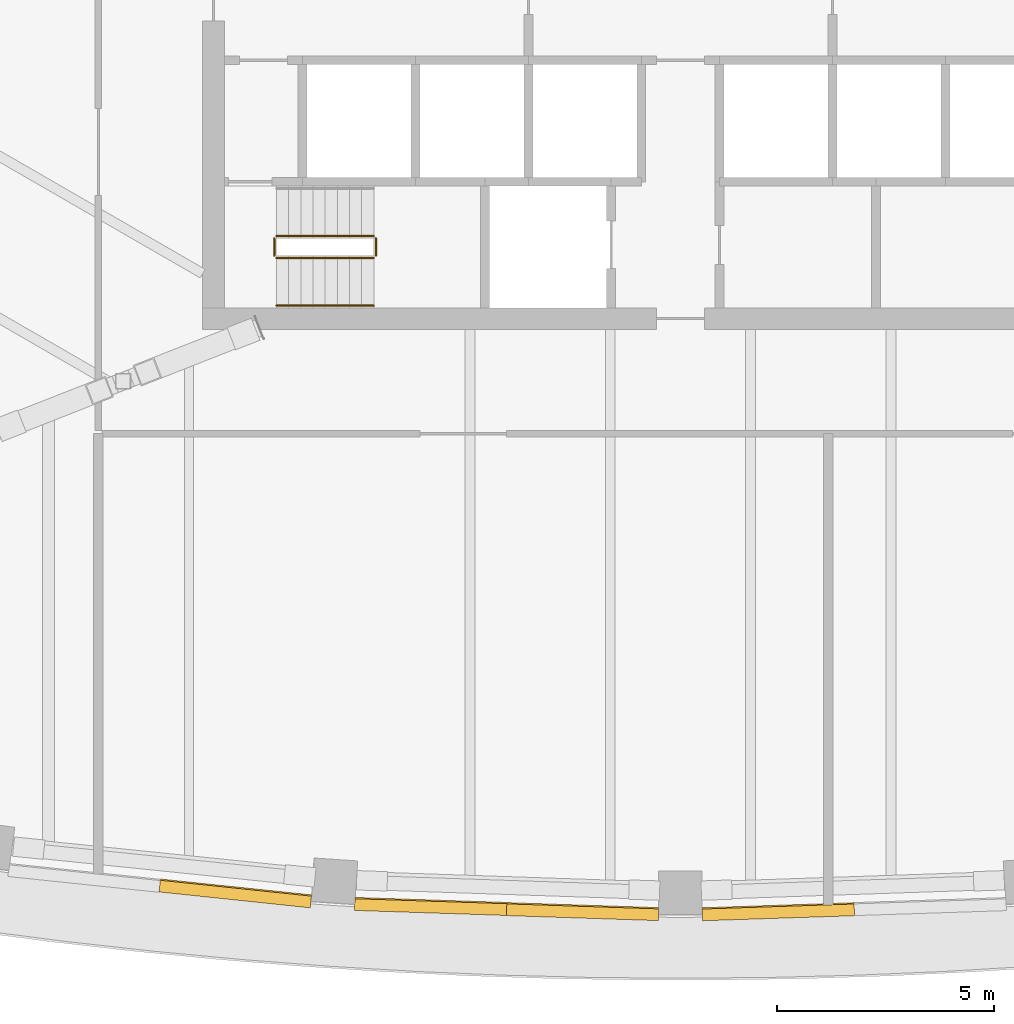
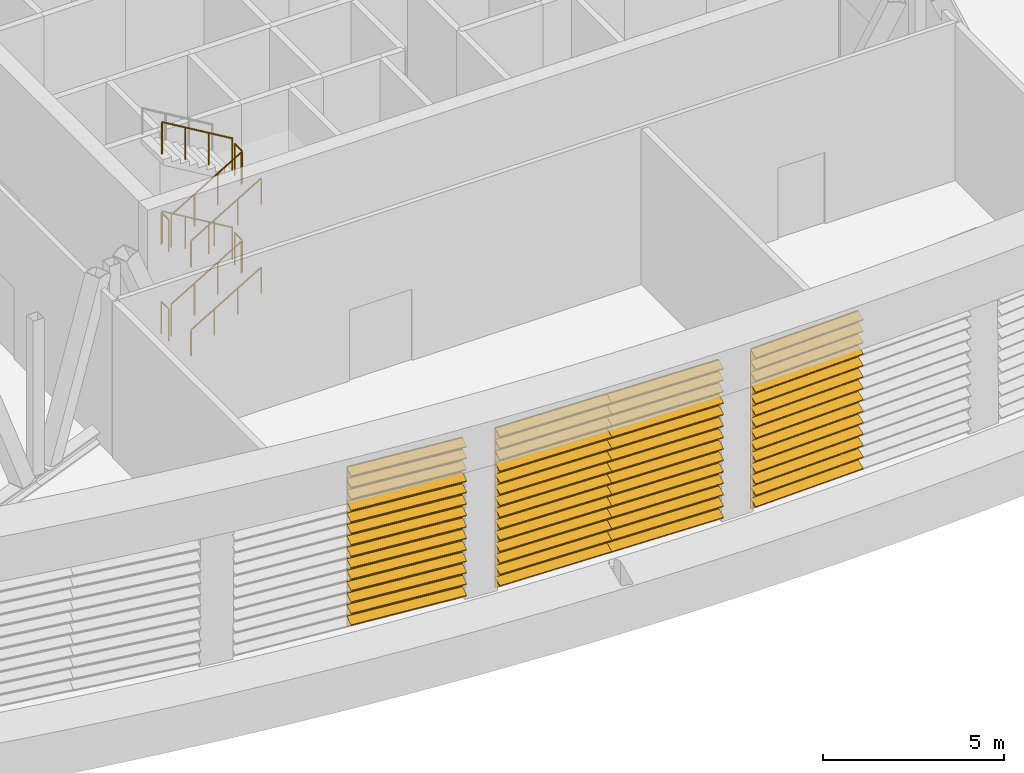
# One storey, part 12 of 18: 10 railings, 4 shading devices.
"""IFC4 building model written with IfcOpenShell, lengths in metres."""

from ifc_helpers import new_model, si_unit, direction, frame, origin, origin_2d, place, context, subcontext, project, spatial, polyline, circle, outline, extrude, material, type_object, element, save


model = new_model("IFC4")

# Units and contexts
model_context = context("Model", 3, precision=1e-05, world=origin(), true_north=direction((0.0, 1.0)))
body_context = subcontext(model_context, "Body", "Model", "MODEL_VIEW")
ifc_project = project(units=[si_unit("LENGTHUNIT", "METRE"), si_unit("AREAUNIT", "SQUARE_METRE"), si_unit("VOLUMEUNIT", "CUBIC_METRE"), si_unit("PLANEANGLEUNIT", "RADIAN"), si_unit("MASSUNIT", "GRAM", prefix="KILO")], contexts=[model_context])

# Site, building, storey
site_placement = place(None, origin())
site = spatial("IfcSite", under=ifc_project, at=site_placement, CompositionType="ELEMENT")
building_placement = place(site_placement, origin())
building = spatial("IfcBuilding", under=site, at=building_placement, Name="Sierra Prisma Convention Tower", CompositionType="ELEMENT")
storey_placement = place(building_placement, frame((0.0, 0.0, 213.800048828125)))
storey = spatial("IfcBuildingStorey", under=building, at=storey_placement, Name="L48", CompositionType="ELEMENT", Elevation=213.800048828125)

# Railings
ifc_material_1 = material(Name="Stainless steel", Category="steel")
railing_type_1 = type_object("IfcRailingType", Name="Exit stair handrail", PredefinedType="HANDRAIL", material=ifc_material_1)
for number, where, name in (
    (1, (-9.300048828125, -7.449951171875, 0.16650390625), "L48 S1 stair handrail 1"),
    (2, (-9.300048828125, -7.449951171875, 3.16650390625), "L48 S1 stair handrail 3"),
):
    element("IfcRailing", number, at=place(storey_placement, frame(where)), inside=storey, type_object=railing_type_1, Name=name, PredefinedType="HANDRAIL", context=body_context, shape_type="SweptSolid", body=[
        extrude(circle(Radius=0.02392578125, at=origin_2d()), frame((0.0, 0.0, 0.8759765625), z_axis=(0.859264461869, 0.0, 0.511531606619), x_axis=(0.0, 1.0, 0.0)), (0.0, 0.0, 1.0), 2.60693359375),
        extrude(circle(Radius=0.02099609375, at=origin_2d()), origin(), (0.0, 0.0, 1.0), 0.851806640625),
        extrude(circle(Radius=0.02099609375, at=origin_2d()), frame((0.74658203125, 0.0, 0.444580078125)), (0.0, 0.0, 1.0), 0.851806640625),
        extrude(circle(Radius=0.02099609375, at=origin_2d()), frame((1.493408203125, 0.0, 0.888916015625)), (0.0, 0.0, 1.0), 0.851806640625),
        extrude(circle(Radius=0.02099609375, at=origin_2d()), frame((2.239990234375, 0.0, 1.33349609375)), (0.0, 0.0, 1.0), 0.851806640625),
    ])

# Shading devices
ifc_material_2 = material(Name="Aluminium 6063-T6 bronze anodised", Category="aluminium")
shading_device_type = type_object("IfcShadingDeviceType", Name="Louvre bay bronze", PredefinedType="USERDEFINED", material=ifc_material_2)
shading_device_1_placement = place(storey_placement, frame((-11.9716796875, -20.65087890625, 0.0), z_axis=(-0.99453895039, 0.104366068037, 0.0), x_axis=(0.0, 0.0, 1.0)))
element("IfcShadingDevice", 3, at=shading_device_1_placement, inside=storey, type_object=shading_device_type, Name="Louvre L48 S2.2", ObjectType="LOUVRE", PredefinedType="USERDEFINED", context=body_context, shape_type="SweptSolid", body=[
    extrude(outline(polyline([(0.0, 0.0), (5.39990234375, 0.0), (5.39990234375, -0.02995373799610345), (5.3798828125, -0.02995373799610345), (5.260009765625, -0.30016388205552225), (5.22998046875, -0.30016388205552225), (5.349853515625, -0.02995373799610345), (5.01416015625, -0.02995373799610345), (4.994140625, -0.02995373799610345), (4.874267578125, -0.30016388205552225), (4.84423828125, -0.30016388205552225), (4.96435546875, -0.02995373799610345), (4.62841796875, -0.02995373799610345), (4.608642578125, -0.02995373799610345), (4.488525390625, -0.30016388205552225), (4.45849609375, -0.30016388205552225), (4.57861328125, -0.02995373799610345), (4.242919921875, -0.02995373799610345), (4.222900390625, -0.02995373799610345), (4.102783203125, -0.30016388205552225), (4.07275390625, -0.30016388205552225), (4.19287109375, -0.02995373799610345), (3.857177734375, -0.02995373799610345), (3.837158203125, -0.02995373799610345), (3.717041015625, -0.30016388205552225), (3.68701171875, -0.30016388205552225), (3.80712890625, -0.02995373799610345), (3.471435546875, -0.02995373799610345), (3.451416015625, -0.02995373799610345), (3.331298828125, -0.30016388205552225), (3.30126953125, -0.30016388205552225), (3.42138671875, -0.02995373799610345), (3.085693359375, -0.02995373799610345), (3.065673828125, -0.02995373799610345), (2.945556640625, -0.30016388205552225), (2.915771484375, -0.30016388205552225), (3.03564453125, -0.02995373799610345), (2.699951171875, -0.02995373799610345), (2.679931640625, -0.02995373799610345), (2.56005859375, -0.30016388205552225), (2.530029296875, -0.30016388205552225), (2.64990234375, -0.02995373799610345), (2.314208984375, -0.02995373799610345), (2.294189453125, -0.02995373799610345), (2.17431640625, -0.30016388205552225), (2.144287109375, -0.30016388205552225), (2.26416015625, -0.02995373799610345), (1.928466796875, -0.02995373799610345), (1.908447265625, -0.02995373799610345), (1.78857421875, -0.30016388205552225), (1.758544921875, -0.30016388205552225), (1.87841796875, -0.02995373799610345), (1.542724609375, -0.02995373799610345), (1.522705078125, -0.02995373799610345), (1.40283203125, -0.30016388205552225), (1.372802734375, -0.30016388205552225), (1.492919921875, -0.02995373799610345), (1.156982421875, -0.02995373799610345), (1.13720703125, -0.02995373799610345), (1.01708984375, -0.30016388205552225), (0.987060546875, -0.30016388205552225), (1.107177734375, -0.02995373799610345), (0.771484375, -0.02995373799610345), (0.75146484375, -0.02995373799610345), (0.63134765625, -0.30016388205552225), (0.601318359375, -0.30016388205552225), (0.721435546875, -0.02995373799610345), (0.3857421875, -0.02995373799610345), (0.36572265625, -0.02995373799610345), (0.24560546875, -0.30016388205552225), (0.215576171875, -0.30016388205552225), (0.335693359375, -0.02995373799610345), (0.0, -0.02995373799610345), (0.0, 0.0)])), origin(), (0.0, 0.0, -1.0), 3.4990234375),
])
shading_device_2_placement = place(storey_placement, frame((-7.493896484375, -21.0751953125, 0.0), z_axis=(-0.999458681794, 0.032898987625, 0.0), x_axis=(0.0, 0.0, 1.0)))
element("IfcShadingDevice", 4, at=shading_device_2_placement, inside=storey, type_object=shading_device_type, Name="Louvre L48 S3.1", ObjectType="LOUVRE", PredefinedType="USERDEFINED", context=body_context, shape_type="SweptSolid", body=[
    extrude(outline(polyline([(0.0, 0.0), (5.39990234375, 0.0), (5.39990234375, -0.03004516938748847), (5.3798828125, -0.03004516938748847), (5.260009765625, -0.2999717089198156), (5.22998046875, -0.2999717089198156), (5.349853515625, -0.03004516938748847), (5.01416015625, -0.03004516938748847), (4.994140625, -0.03004516938748847), (4.874267578125, -0.2999717089198156), (4.84423828125, -0.2999717089198156), (4.96435546875, -0.03004516938748847), (4.62841796875, -0.03004516938748847), (4.608642578125, -0.03004516938748847), (4.488525390625, -0.2999717089198156), (4.45849609375, -0.2999717089198156), (4.57861328125, -0.03004516938748847), (4.242919921875, -0.03004516938748847), (4.222900390625, -0.03004516938748847), (4.102783203125, -0.2999717089198156), (4.07275390625, -0.2999717089198156), (4.19287109375, -0.03004516938748847), (3.857177734375, -0.03004516938748847), (3.837158203125, -0.03004516938748847), (3.717041015625, -0.2999717089198156), (3.68701171875, -0.2999717089198156), (3.80712890625, -0.03004516938748847), (3.471435546875, -0.03004516938748847), (3.451416015625, -0.03004516938748847), (3.331298828125, -0.2999717089198156), (3.30126953125, -0.2999717089198156), (3.42138671875, -0.03004516938748847), (3.085693359375, -0.03004516938748847), (3.065673828125, -0.03004516938748847), (2.945556640625, -0.2999717089198156), (2.915771484375, -0.2999717089198156), (3.03564453125, -0.03004516938748847), (2.699951171875, -0.03004516938748847), (2.679931640625, -0.03004516938748847), (2.56005859375, -0.2999717089198156), (2.530029296875, -0.2999717089198156), (2.64990234375, -0.03004516938748847), (2.314208984375, -0.03004516938748847), (2.294189453125, -0.03004516938748847), (2.17431640625, -0.2999717089198156), (2.144287109375, -0.2999717089198156), (2.26416015625, -0.03004516938748847), (1.928466796875, -0.03004516938748847), (1.908447265625, -0.03004516938748847), (1.78857421875, -0.2999717089198156), (1.758544921875, -0.2999717089198156), (1.87841796875, -0.03004516938748847), (1.542724609375, -0.03004516938748847), (1.522705078125, -0.03004516938748847), (1.40283203125, -0.2999717089198156), (1.372802734375, -0.2999717089198156), (1.492919921875, -0.03004516938748847), (1.156982421875, -0.03004516938748847), (1.13720703125, -0.03004516938748847), (1.01708984375, -0.2999717089198156), (0.987060546875, -0.2999717089198156), (1.107177734375, -0.03004516938748847), (0.771484375, -0.03004516938748847), (0.75146484375, -0.03004516938748847), (0.63134765625, -0.2999717089198156), (0.601318359375, -0.2999717089198156), (0.721435546875, -0.03004516938748847), (0.3857421875, -0.03004516938748847), (0.36572265625, -0.03004516938748847), (0.24560546875, -0.2999717089198156), (0.215576171875, -0.2999717089198156), (0.335693359375, -0.03004516938748847), (0.0, -0.03004516938748847), (0.0, 0.0)])), origin(), (0.0, 0.0, -1.0), 3.4990234375),
])
shading_device_3_placement = place(storey_placement, frame((-3.996826171875, -21.194091796875, 0.0), z_axis=(-0.999458681794, 0.032898987625, 0.0), x_axis=(0.0, 0.0, 1.0)))
element("IfcShadingDevice", 5, at=shading_device_3_placement, inside=storey, type_object=shading_device_type, Name="Louvre L48 S3.2", ObjectType="LOUVRE", PredefinedType="USERDEFINED", context=body_context, shape_type="SweptSolid", body=[
    extrude(outline(polyline([(0.0, 0.0), (5.39990234375, 0.0), (5.39990234375, -0.03004516938748847), (5.3798828125, -0.03004516938748847), (5.260009765625, -0.2999717089198156), (5.22998046875, -0.2999717089198156), (5.349853515625, -0.03004516938748847), (5.01416015625, -0.03004516938748847), (4.994140625, -0.03004516938748847), (4.874267578125, -0.2999717089198156), (4.84423828125, -0.2999717089198156), (4.96435546875, -0.03004516938748847), (4.62841796875, -0.03004516938748847), (4.608642578125, -0.03004516938748847), (4.488525390625, -0.2999717089198156), (4.45849609375, -0.2999717089198156), (4.57861328125, -0.03004516938748847), (4.242919921875, -0.03004516938748847), (4.222900390625, -0.03004516938748847), (4.102783203125, -0.2999717089198156), (4.07275390625, -0.2999717089198156), (4.19287109375, -0.03004516938748847), (3.857177734375, -0.03004516938748847), (3.837158203125, -0.03004516938748847), (3.717041015625, -0.2999717089198156), (3.68701171875, -0.2999717089198156), (3.80712890625, -0.03004516938748847), (3.471435546875, -0.03004516938748847), (3.451416015625, -0.03004516938748847), (3.331298828125, -0.2999717089198156), (3.30126953125, -0.2999717089198156), (3.42138671875, -0.03004516938748847), (3.085693359375, -0.03004516938748847), (3.065673828125, -0.03004516938748847), (2.945556640625, -0.2999717089198156), (2.915771484375, -0.2999717089198156), (3.03564453125, -0.03004516938748847), (2.699951171875, -0.03004516938748847), (2.679931640625, -0.03004516938748847), (2.56005859375, -0.2999717089198156), (2.530029296875, -0.2999717089198156), (2.64990234375, -0.03004516938748847), (2.314208984375, -0.03004516938748847), (2.294189453125, -0.03004516938748847), (2.17431640625, -0.2999717089198156), (2.144287109375, -0.2999717089198156), (2.26416015625, -0.03004516938748847), (1.928466796875, -0.03004516938748847), (1.908447265625, -0.03004516938748847), (1.78857421875, -0.2999717089198156), (1.758544921875, -0.2999717089198156), (1.87841796875, -0.03004516938748847), (1.542724609375, -0.03004516938748847), (1.522705078125, -0.03004516938748847), (1.40283203125, -0.2999717089198156), (1.372802734375, -0.2999717089198156), (1.492919921875, -0.03004516938748847), (1.156982421875, -0.03004516938748847), (1.13720703125, -0.03004516938748847), (1.01708984375, -0.2999717089198156), (0.987060546875, -0.2999717089198156), (1.107177734375, -0.03004516938748847), (0.771484375, -0.03004516938748847), (0.75146484375, -0.03004516938748847), (0.63134765625, -0.2999717089198156), (0.601318359375, -0.2999717089198156), (0.721435546875, -0.03004516938748847), (0.3857421875, -0.03004516938748847), (0.36572265625, -0.03004516938748847), (0.24560546875, -0.2999717089198156), (0.215576171875, -0.2999717089198156), (0.335693359375, -0.03004516938748847), (0.0, -0.03004516938748847), (0.0, 0.0)])), origin(), (0.0, 0.0, -1.0), 3.4990234375),
])
shading_device_4_placement = place(storey_placement, frame((0.499755859375, -21.31298828125, 0.0), z_axis=(-0.999446378847, -0.033270644871, 0.0), x_axis=(0.0, 0.0, 1.0)))
element("IfcShadingDevice", 6, at=shading_device_4_placement, inside=storey, type_object=shading_device_type, Name="Louvre L48 S4.1", ObjectType="LOUVRE", PredefinedType="USERDEFINED", context=body_context, shape_type="SweptSolid", body=[
    extrude(outline(polyline([(0.0, 0.0), (5.39990234375, 0.0), (5.39990234375, -0.030045162885164418), (5.3798828125, -0.030045162885164418), (5.260009765625, -0.29997986335653865), (5.22998046875, -0.29997986335653865), (5.349853515625, -0.030045162885164418), (5.01416015625, -0.030045162885164418), (4.994140625, -0.030045162885164418), (4.874267578125, -0.29997986335653865), (4.84423828125, -0.29997986335653865), (4.96435546875, -0.030045162885164418), (4.62841796875, -0.030045162885164418), (4.608642578125, -0.030045162885164418), (4.488525390625, -0.29997986335653865), (4.45849609375, -0.29997986335653865), (4.57861328125, -0.030045162885164418), (4.242919921875, -0.030045162885164418), (4.222900390625, -0.030045162885164418), (4.102783203125, -0.29997986335653865), (4.07275390625, -0.29997986335653865), (4.19287109375, -0.030045162885164418), (3.857177734375, -0.030045162885164418), (3.837158203125, -0.030045162885164418), (3.717041015625, -0.29997986335653865), (3.68701171875, -0.29997986335653865), (3.80712890625, -0.030045162885164418), (3.471435546875, -0.030045162885164418), (3.451416015625, -0.030045162885164418), (3.331298828125, -0.29997986335653865), (3.30126953125, -0.29997986335653865), (3.42138671875, -0.030045162885164418), (3.085693359375, -0.030045162885164418), (3.065673828125, -0.030045162885164418), (2.945556640625, -0.29997986335653865), (2.915771484375, -0.29997986335653865), (3.03564453125, -0.030045162885164418), (2.699951171875, -0.030045162885164418), (2.679931640625, -0.030045162885164418), (2.56005859375, -0.29997986335653865), (2.530029296875, -0.29997986335653865), (2.64990234375, -0.030045162885164418), (2.314208984375, -0.030045162885164418), (2.294189453125, -0.030045162885164418), (2.17431640625, -0.29997986335653865), (2.144287109375, -0.29997986335653865), (2.26416015625, -0.030045162885164418), (1.928466796875, -0.030045162885164418), (1.908447265625, -0.030045162885164418), (1.78857421875, -0.29997986335653865), (1.758544921875, -0.29997986335653865), (1.87841796875, -0.030045162885164418), (1.542724609375, -0.030045162885164418), (1.522705078125, -0.030045162885164418), (1.40283203125, -0.29997986335653865), (1.372802734375, -0.29997986335653865), (1.492919921875, -0.030045162885164418), (1.156982421875, -0.030045162885164418), (1.13720703125, -0.030045162885164418), (1.01708984375, -0.29997986335653865), (0.987060546875, -0.29997986335653865), (1.107177734375, -0.030045162885164418), (0.771484375, -0.030045162885164418), (0.75146484375, -0.030045162885164418), (0.63134765625, -0.29997986335653865), (0.601318359375, -0.29997986335653865), (0.721435546875, -0.030045162885164418), (0.3857421875, -0.030045162885164418), (0.36572265625, -0.030045162885164418), (0.24560546875, -0.29997986335653865), (0.215576171875, -0.29997986335653865), (0.335693359375, -0.030045162885164418), (0.0, -0.030045162885164418), (0.0, 0.0)])), origin(), (0.0, 0.0, -1.0), 3.4990234375),
])

# Railings
ifc_material_3 = material(Name="Stainless steel", Category="steel")
railing_type_2 = type_object("IfcRailingType", Name="Stair guard 1100", PredefinedType="GUARDRAIL", material=ifc_material_3)
railing_1_placement = place(storey_placement, frame((-9.300048828125, -6.35009765625, 0.16650390625)))
element("IfcRailing", 7, at=railing_1_placement, inside=storey, type_object=railing_type_2, Name="L48 S1 stair guard 1", PredefinedType="GUARDRAIL", context=body_context, shape_type="SweptSolid", body=[
    extrude(circle(Radius=0.02392578125, at=origin_2d()), frame((0.0, 0.0, 1.076171875), z_axis=(0.859264461869, 0.0, 0.511531606619), x_axis=(0.0, 1.0, 0.0)), (0.0, 0.0, 1.0), 2.60693359375),
    extrude(circle(Radius=0.02099609375, at=origin_2d()), origin(), (0.0, 0.0, 1.0), 1.052001953125),
    extrude(circle(Radius=0.02099609375, at=origin_2d()), frame((0.74658203125, 0.0, 0.444580078125)), (0.0, 0.0, 1.0), 1.052001953125),
    extrude(circle(Radius=0.02099609375, at=origin_2d()), frame((1.493408203125, 0.0, 0.888916015625)), (0.0, 0.0, 1.0), 1.052001953125),
    extrude(circle(Radius=0.02099609375, at=origin_2d()), frame((2.239990234375, 0.0, 1.33349609375)), (0.0, 0.0, 1.0), 1.052001953125),
])
railing_2_placement = place(storey_placement, frame((-7.010009765625, -6.300048828125, 1.5)))
element("IfcRailing", 8, at=railing_2_placement, inside=storey, type_object=railing_type_2, Name="L48 S1 stair guard 2", PredefinedType="GUARDRAIL", context=body_context, shape_type="SweptSolid", body=[
    extrude(circle(Radius=0.02392578125, at=origin_2d()), frame((0.0, 0.0, 1.076171875), z_axis=(0.0, 1.0, 0.0), x_axis=(-1.0, 0.0, 0.0)), (0.0, 0.0, 1.0), 0.400146484375),
    extrude(circle(Radius=0.02099609375, at=origin_2d()), origin(), (0.0, 0.0, 1.0), 1.052001953125),
    extrude(circle(Radius=0.02099609375, at=origin_2d()), frame((0.0, 0.400146484375, 0.0)), (0.0, 0.0, 1.0), 1.052001953125),
])
railing_3_placement = place(storey_placement, frame((-7.06005859375, -5.85009765625, 1.66650390625)))
element("IfcRailing", 9, at=railing_3_placement, inside=storey, type_object=railing_type_2, Name="L48 S1 stair guard 3", PredefinedType="GUARDRAIL", context=body_context, shape_type="SweptSolid", body=[
    extrude(circle(Radius=0.02392578125, at=origin_2d()), frame((0.0, 0.0, 1.076171875), z_axis=(-0.859264461869, 0.0, 0.511531606619), x_axis=(0.0, -1.0, 0.0)), (0.0, 0.0, 1.0), 2.60693359375),
    extrude(circle(Radius=0.02099609375, at=origin_2d()), origin(), (0.0, 0.0, 1.0), 1.052001953125),
    extrude(circle(Radius=0.02099609375, at=origin_2d()), frame((-0.74658203125, 0.0, 0.444580078125)), (0.0, 0.0, 1.0), 1.052001953125),
    extrude(circle(Radius=0.02099609375, at=origin_2d()), frame((-1.493408203125, 0.0, 0.888916015625)), (0.0, 0.0, 1.0), 1.052001953125),
    extrude(circle(Radius=0.02099609375, at=origin_2d()), frame((-2.239990234375, 0.0, 1.33349609375)), (0.0, 0.0, 1.0), 1.052001953125),
])
railing_4_placement = place(storey_placement, frame((-9.35009765625, -6.300048828125, 3.0)))
element("IfcRailing", 10, at=railing_4_placement, inside=storey, type_object=railing_type_2, Name="L48 S1 stair guard 4", PredefinedType="GUARDRAIL", context=body_context, shape_type="SweptSolid", body=[
    extrude(circle(Radius=0.02392578125, at=origin_2d()), frame((0.0, 0.0, 1.076171875), z_axis=(0.0, 1.0, 0.0), x_axis=(-1.0, 0.0, 0.0)), (0.0, 0.0, 1.0), 0.400146484375),
    extrude(circle(Radius=0.02099609375, at=origin_2d()), origin(), (0.0, 0.0, 1.0), 1.052001953125),
    extrude(circle(Radius=0.02099609375, at=origin_2d()), frame((0.0, 0.400146484375, 0.0)), (0.0, 0.0, 1.0), 1.052001953125),
])
railing_5_placement = place(storey_placement, frame((-9.300048828125, -6.35009765625, 3.16650390625)))
element("IfcRailing", 11, at=railing_5_placement, inside=storey, type_object=railing_type_2, Name="L48 S1 stair guard 5", PredefinedType="GUARDRAIL", context=body_context, shape_type="SweptSolid", body=[
    extrude(circle(Radius=0.02392578125, at=origin_2d()), frame((0.0, 0.0, 1.076171875), z_axis=(0.859264461869, 0.0, 0.511531606619), x_axis=(0.0, 1.0, 0.0)), (0.0, 0.0, 1.0), 2.60693359375),
    extrude(circle(Radius=0.02099609375, at=origin_2d()), origin(), (0.0, 0.0, 1.0), 1.052001953125),
    extrude(circle(Radius=0.02099609375, at=origin_2d()), frame((0.74658203125, 0.0, 0.444580078125)), (0.0, 0.0, 1.0), 1.052001953125),
    extrude(circle(Radius=0.02099609375, at=origin_2d()), frame((1.493408203125, 0.0, 0.888916015625)), (0.0, 0.0, 1.0), 1.052001953125),
    extrude(circle(Radius=0.02099609375, at=origin_2d()), frame((2.239990234375, 0.0, 1.33349609375)), (0.0, 0.0, 1.0), 1.052001953125),
])
railing_6_placement = place(storey_placement, frame((-7.010009765625, -6.300048828125, 4.5)))
element("IfcRailing", 12, at=railing_6_placement, inside=storey, type_object=railing_type_2, Name="L48 S1 stair guard 6", PredefinedType="GUARDRAIL", context=body_context, shape_type="SweptSolid", body=[
    extrude(circle(Radius=0.02392578125, at=origin_2d()), frame((0.0, 0.0, 1.076171875), z_axis=(0.0, 1.0, 0.0), x_axis=(-1.0, 0.0, 0.0)), (0.0, 0.0, 1.0), 0.400146484375),
    extrude(circle(Radius=0.02099609375, at=origin_2d()), origin(), (0.0, 0.0, 1.0), 1.052001953125),
    extrude(circle(Radius=0.02099609375, at=origin_2d()), frame((0.0, 0.400146484375, 0.0)), (0.0, 0.0, 1.0), 1.052001953125),
])
railing_7_placement = place(storey_placement, frame((-7.06005859375, -5.85009765625, 4.66650390625)))
element("IfcRailing", 13, at=railing_7_placement, inside=storey, type_object=railing_type_2, Name="L48 S1 stair guard 7", PredefinedType="GUARDRAIL", context=body_context, shape_type="SweptSolid", body=[
    extrude(circle(Radius=0.02392578125, at=origin_2d()), frame((0.0, 0.0, 1.076171875), z_axis=(-0.859264461869, 0.0, 0.511531606619), x_axis=(0.0, -1.0, 0.0)), (0.0, 0.0, 1.0), 2.60693359375),
    extrude(circle(Radius=0.02099609375, at=origin_2d()), origin(), (0.0, 0.0, 1.0), 1.052001953125),
    extrude(circle(Radius=0.02099609375, at=origin_2d()), frame((-0.74658203125, 0.0, 0.444580078125)), (0.0, 0.0, 1.0), 1.052001953125),
    extrude(circle(Radius=0.02099609375, at=origin_2d()), frame((-1.493408203125, 0.0, 0.888916015625)), (0.0, 0.0, 1.0), 1.052001953125),
    extrude(circle(Radius=0.02099609375, at=origin_2d()), frame((-2.239990234375, 0.0, 1.33349609375)), (0.0, 0.0, 1.0), 1.052001953125),
])
railing_8_placement = place(storey_placement, frame((-9.35009765625, -6.300048828125, 0.0)))
element("IfcRailing", 14, at=railing_8_placement, inside=storey, type_object=railing_type_2, Name="L48 S1 stair guard 8", PredefinedType="GUARDRAIL", context=body_context, shape_type="SweptSolid", body=[
    extrude(circle(Radius=0.02392578125, at=origin_2d()), frame((0.0, 0.0, 1.076171875), z_axis=(0.0, 1.0, 0.0), x_axis=(-1.0, 0.0, 0.0)), (0.0, 0.0, 1.0), 0.400146484375),
    extrude(circle(Radius=0.02099609375, at=origin_2d()), origin(), (0.0, 0.0, 1.0), 1.052001953125),
    extrude(circle(Radius=0.02099609375, at=origin_2d()), frame((0.0, 0.400146484375, 0.0)), (0.0, 0.0, 1.0), 1.052001953125),
])

save(model, "model.ifc")
